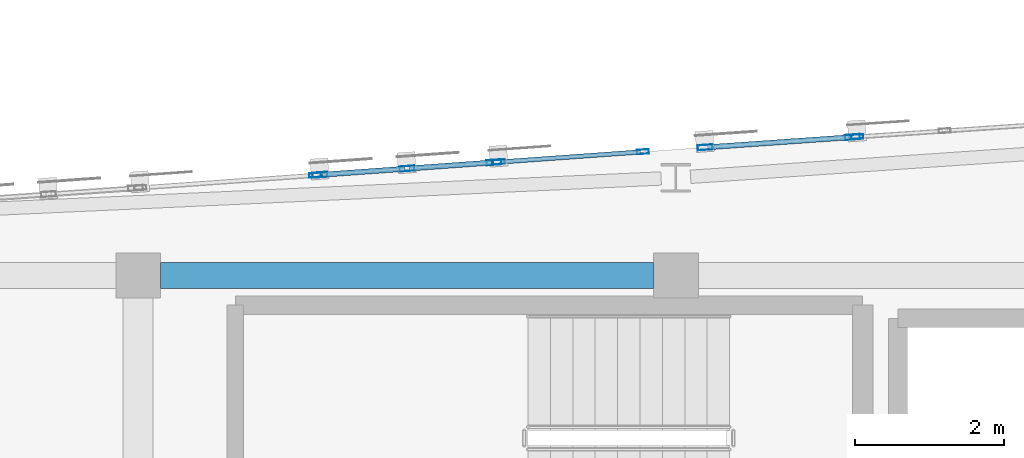
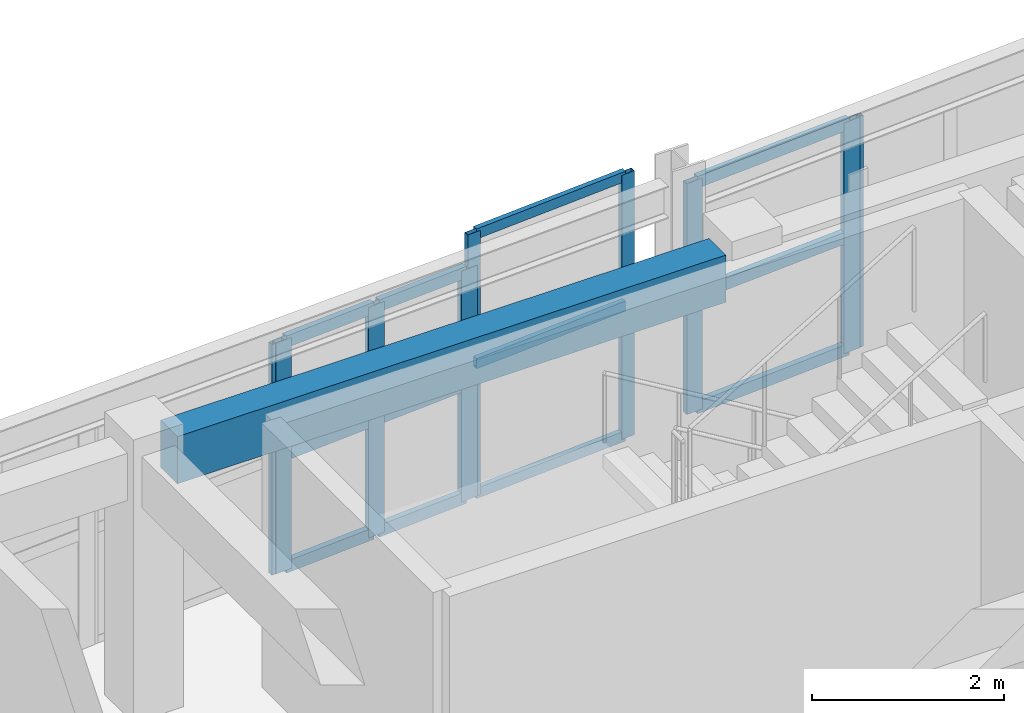
# One storey, part 9 of 45: 21 members, 1 beam, 5 elements without a shape of their own.
"""IFC4 building model written with IfcOpenShell, lengths in metres."""

from ifc_helpers import new_model, si_unit, direction, frame, origin, origin_2d, place, context, subcontext, project, spatial, rectangle, hollow_rectangle, extrude, material, layer, layer_set, material_profile, profile_set, type_object, element, aggregate, save


model = new_model("IFC4")

# Units and contexts
model_context = context("Model", 3, precision=1e-05, world=origin(), true_north=direction((0.0, 1.0)))
body_context = subcontext(model_context, "Body", "Model", "MODEL_VIEW")
ifc_project = project(units=[si_unit("LENGTHUNIT", "METRE"), si_unit("AREAUNIT", "SQUARE_METRE"), si_unit("VOLUMEUNIT", "CUBIC_METRE"), si_unit("PLANEANGLEUNIT", "RADIAN"), si_unit("MASSUNIT", "GRAM", prefix="KILO")], contexts=[model_context])

# Site, building, storey
site_placement = place(None, origin())
site = spatial("IfcSite", under=ifc_project, at=site_placement, CompositionType="ELEMENT")
building_placement = place(site_placement, origin())
building = spatial("IfcBuilding", under=site, at=building_placement, Name="Carrowvane Square Congress Hotel", CompositionType="ELEMENT")
storey_placement = place(building_placement, frame((0.0, 0.0, 33.60009765625)))
storey = spatial("IfcBuildingStorey", under=building, at=storey_placement, Name="L08", CompositionType="ELEMENT", Elevation=33.60009765625)

# Beam
ifc_material_1 = material(Name="Concrete C35/45", Category="concrete")
ifc_material_profile_1 = material_profile(ifc_material_1, rectangle(XDim=0.35009765625, YDim=0.60009765625, at=origin_2d()), Name="RC 350x600")
ifc_profile_set_1 = profile_set([ifc_material_profile_1], Name="Concrete C35/45")
beam_type = type_object("IfcBeamType", Name="BM-RC-350x600", PredefinedType="BEAM", material=ifc_profile_set_1)
beam_placement = place(storey_placement, frame((55.10009765625, 113.39990234375, 3.059814453125), z_axis=(1.0, 0.0, 0.0), x_axis=(0.0, 1.0, 0.0)))
element("IfcBeam", 1, at=beam_placement, inside=storey, type_object=beam_type, Name="L09 girder R/7-8", PredefinedType="BEAM", context=body_context, shape_type="SweptSolid", body=[
    extrude(rectangle(XDim=0.35009765625, YDim=0.60009765625, at=origin_2d()), origin(), (0.0, 0.0, 1.0), 6.599853515625),
])

# Curtain wall, member
ifc_material_2 = material(Name="Anodised aluminium", Category="aluminium")
ifc_layer_1 = layer(ifc_material_2, 0.162109375)
ifc_layer_set_1 = layer_set([ifc_layer_1], Name="Anodised aluminium")
curtain_wall_type_1 = type_object("IfcCurtainWallType", Name="CW-SYS-1", PredefinedType="NOTDEFINED", material=ifc_layer_set_1)
curtain_wall_1_placement = place(storey_placement, origin())
curtain_wall_1 = element("IfcCurtainWall", 2, at=curtain_wall_1_placement, inside=storey, type_object=curtain_wall_type_1, Name="L08 unitised curtain wall 464", PredefinedType="NOTDEFINED")
ifc_material_3 = material(Name="Anodised aluminium", Category="aluminium")
ifc_material_profile_2 = material_profile(ifc_material_3, hollow_rectangle(XDim=0.06005859375, YDim=0.159912109375, WallThickness=0.00390625, at=origin_2d()), Name="CW-ML 60x160x4")
ifc_profile_set_2 = profile_set([ifc_material_profile_2], Name="Anodised aluminium")
member_type_1 = type_object("IfcMemberType", Name="CW-MUL-1", PredefinedType="MULLION", material=ifc_profile_set_2)
member_1_placement = place(storey_placement, frame((57.169921875, 114.740966796875, 0.0), z_axis=(0.0, 0.0, 1.0), x_axis=(-0.071418356042, 0.997446448898, 0.0)))
member_1 = element("IfcMember", 3, at=member_1_placement, type_object=member_type_1, Name="CW-1 mullion 2", PredefinedType="MULLION", context=body_context, shape_type="SweptSolid", body=[
    extrude(hollow_rectangle(XDim=0.06005859375, YDim=0.159912109375, WallThickness=0.00390625, at=origin_2d()), origin(), (0.0, 0.0, 1.0), 2.935546875),
])
aggregate(curtain_wall_1, [member_1])

# Curtain wall, members
ifc_material_4 = material(Name="Anodised aluminium", Category="aluminium")
ifc_layer_2 = layer(ifc_material_4, 0.18603515625)
ifc_layer_set_2 = layer_set([ifc_layer_2], Name="Anodised aluminium")
curtain_wall_type_2 = type_object("IfcCurtainWallType", Name="CW-SYS-3", PredefinedType="NOTDEFINED", material=ifc_layer_set_2)
curtain_wall_2_placement = place(storey_placement, origin())
curtain_wall_2 = element("IfcCurtainWall", 4, at=curtain_wall_2_placement, inside=storey, type_object=curtain_wall_type_2, Name="L08 unitised curtain wall 466", PredefinedType="NOTDEFINED")
member_2_placement = place(storey_placement, frame((59.6298828125, 114.91748046875, 0.0), z_axis=(0.0, 0.0, 1.0), x_axis=(-0.070960217342, 0.997479146426, 0.0)))
member_2 = element("IfcMember", 5, at=member_2_placement, type_object=member_type_1, Name="CW-3 mullion 1", PredefinedType="MULLION", context=body_context, shape_type="SweptSolid", body=[
    extrude(hollow_rectangle(XDim=0.06005859375, YDim=0.159912109375, WallThickness=0.00390625, at=origin_2d()), origin(), (0.0, 0.0, 1.0), 3.35986328125),
])
member_3_placement = place(storey_placement, frame((61.5595703125, 115.0546875, 0.0), z_axis=(0.0, 0.0, 1.0), x_axis=(-0.070960217342, 0.997479146426, 0.0)))
member_3 = element("IfcMember", 6, at=member_3_placement, type_object=member_type_1, Name="CW-3 mullion 2", PredefinedType="MULLION", context=body_context, shape_type="SweptSolid", body=[
    extrude(hollow_rectangle(XDim=0.06005859375, YDim=0.159912109375, WallThickness=0.00390625, at=origin_2d()), origin(), (0.0, 0.0, 1.0), 3.35986328125),
])

# Curtain wall, member
ifc_material_5 = material(Name="Anodised aluminium", Category="aluminium")
ifc_layer_3 = layer(ifc_material_5, 0.2099609375)
ifc_layer_set_3 = layer_set([ifc_layer_3], Name="Anodised aluminium")
curtain_wall_type_3 = type_object("IfcCurtainWallType", Name="CW-SYS-5", PredefinedType="NOTDEFINED", material=ifc_layer_set_3)
curtain_wall_3_placement = place(storey_placement, origin())
curtain_wall_3 = element("IfcCurtainWall", 7, at=curtain_wall_3_placement, inside=storey, type_object=curtain_wall_type_3, Name="L08 unitised curtain wall 468", PredefinedType="NOTDEFINED")
member_4_placement = place(storey_placement, frame((64.429931640625, 115.255859375, 0.0), z_axis=(0.0, 0.0, 1.0), x_axis=(-0.067865424104, 0.997694484404, 0.0)))
member_4 = element("IfcMember", 8, at=member_4_placement, type_object=member_type_1, Name="CW-5 mullion 1", PredefinedType="MULLION", context=body_context, shape_type="SweptSolid", body=[
    extrude(hollow_rectangle(XDim=0.06005859375, YDim=0.159912109375, WallThickness=0.00390625, at=origin_2d()), origin(), (0.0, 0.0, 1.0), 2.935546875),
])
aggregate(curtain_wall_3, [member_4])

# Curtain wall, members
ifc_material_6 = material(Name="Anodised aluminium", Category="aluminium")
ifc_layer_4 = layer(ifc_material_6, 0.174072265625)
ifc_layer_set_4 = layer_set([ifc_layer_4], Name="Anodised aluminium")
curtain_wall_type_4 = type_object("IfcCurtainWallType", Name="CW-SYS-2", PredefinedType="NOTDEFINED", material=ifc_layer_set_4)
curtain_wall_4_placement = place(storey_placement, origin())
curtain_wall_4 = element("IfcCurtainWall", 9, at=curtain_wall_4_placement, inside=storey, type_object=curtain_wall_type_4, Name="L08 unitised curtain wall 465", PredefinedType="NOTDEFINED")
ifc_material_7 = material(Name="Anodised aluminium", Category="aluminium")
ifc_material_profile_3 = material_profile(ifc_material_7, hollow_rectangle(XDim=0.070068359375, YDim=0.199951171875, WallThickness=0.0048828125, at=origin_2d()), Name="CW-ML 70x200x5")
ifc_profile_set_3 = profile_set([ifc_material_profile_3], Name="Anodised aluminium")
member_type_2 = type_object("IfcMemberType", Name="CW-MUL-2", PredefinedType="MULLION", material=ifc_profile_set_3)
member_5_placement = place(storey_placement, frame((57.23486328125, 114.74560546875, 0.0), z_axis=(0.0, 0.0, 1.0), x_axis=(-0.071531759512, 0.997438322595, 0.0)))
member_5 = element("IfcMember", 10, at=member_5_placement, type_object=member_type_2, Name="CW-2 mullion 1", PredefinedType="MULLION", context=body_context, shape_type="SweptSolid", body=[
    extrude(hollow_rectangle(XDim=0.070068359375, YDim=0.199951171875, WallThickness=0.0048828125, at=origin_2d()), origin(), (0.0, 0.0, 1.0), 2.935546875),
])
member_6_placement = place(storey_placement, frame((58.39990234375, 114.8291015625, 0.0), z_axis=(0.0, 0.0, 1.0), x_axis=(-0.071531759512, 0.997438322595, 0.0)))
member_6 = element("IfcMember", 11, at=member_6_placement, type_object=member_type_2, Name="CW-2 mullion 2", PredefinedType="MULLION", context=body_context, shape_type="SweptSolid", body=[
    extrude(hollow_rectangle(XDim=0.070068359375, YDim=0.199951171875, WallThickness=0.0048828125, at=origin_2d()), origin(), (0.0, 0.0, 1.0), 2.935546875),
])
member_7_placement = place(storey_placement, frame((59.565185546875, 114.912841796875, 0.0), z_axis=(0.0, 0.0, 1.0), x_axis=(-0.071531759512, 0.997438322595, 0.0)))
member_7 = element("IfcMember", 12, at=member_7_placement, type_object=member_type_2, Name="CW-2 mullion 3", PredefinedType="MULLION", context=body_context, shape_type="SweptSolid", body=[
    extrude(hollow_rectangle(XDim=0.070068359375, YDim=0.199951171875, WallThickness=0.0048828125, at=origin_2d()), origin(), (0.0, 0.0, 1.0), 2.935546875),
])

ifc_material_8 = material(Name="Anodised aluminium", Category="aluminium")
ifc_layer_5 = layer(ifc_material_8, 0.197998046875)
ifc_layer_set_5 = layer_set([ifc_layer_5], Name="Anodised aluminium")
curtain_wall_type_5 = type_object("IfcCurtainWallType", Name="CW-SYS-4", PredefinedType="NOTDEFINED", material=ifc_layer_set_5)
curtain_wall_5_placement = place(storey_placement, origin())
curtain_wall_5 = element("IfcCurtainWall", 13, at=curtain_wall_5_placement, inside=storey, type_object=curtain_wall_type_5, Name="L08 unitised curtain wall 467", PredefinedType="NOTDEFINED")
member_8_placement = place(storey_placement, frame((62.39208984375, 115.11328125, 0.0), z_axis=(0.0, 0.0, 1.0), x_axis=(-0.069723822092, 0.997566332949, 0.0)))
member_8 = element("IfcMember", 14, at=member_8_placement, type_object=member_type_2, Name="CW-4 mullion 1", PredefinedType="MULLION", context=body_context, shape_type="SweptSolid", body=[
    extrude(hollow_rectangle(XDim=0.070068359375, YDim=0.199951171875, WallThickness=0.0048828125, at=origin_2d()), origin(), (0.0, 0.0, 1.0), 2.935546875),
])
member_9_placement = place(storey_placement, frame((64.365234375, 115.251220703125, 0.0), z_axis=(0.0, 0.0, 1.0), x_axis=(-0.069723822092, 0.997566332949, 0.0)))
member_9 = element("IfcMember", 15, at=member_9_placement, type_object=member_type_2, Name="CW-4 mullion 2", PredefinedType="MULLION", context=body_context, shape_type="SweptSolid", body=[
    extrude(hollow_rectangle(XDim=0.070068359375, YDim=0.199951171875, WallThickness=0.0048828125, at=origin_2d()), origin(), (0.0, 0.0, 1.0), 2.935546875),
])

# Member
ifc_material_9 = material(Name="Anodised aluminium", Category="aluminium")
ifc_material_profile_4 = material_profile(ifc_material_9, hollow_rectangle(XDim=0.06005859375, YDim=0.1298828125, WallThickness=0.00390625, at=origin_2d()), Name="CW-TR 60x130x4")
ifc_profile_set_4 = profile_set([ifc_material_profile_4], Name="Anodised aluminium")
member_type_3 = type_object("IfcMemberType", Name="CW-TRN-1", PredefinedType="USERDEFINED", material=ifc_profile_set_4)
member_10_placement = place(storey_placement, frame((59.659912109375, 114.91943359375, 0.02978515625), z_axis=(0.997477179268, 0.070987864025, 0.0), x_axis=(-0.070987864025, 0.997477179268, 0.0)))
member_10 = element("IfcMember", 16, at=member_10_placement, type_object=member_type_3, Name="CW-3 transom 1.1", ObjectType="TRANSOM", PredefinedType="USERDEFINED", context=body_context, shape_type="SweptSolid", body=[
    extrude(hollow_rectangle(XDim=0.06005859375, YDim=0.1298828125, WallThickness=0.00390625, at=origin_2d()), origin(), (0.0, 0.0, 1.0), 1.874267578125),
])

member_11_placement = place(storey_placement, frame((59.659912109375, 114.91943359375, 1.679931640625), z_axis=(0.997477179268, 0.070987864025, 0.0), x_axis=(-0.070987864025, 0.997477179268, 0.0)))
member_11 = element("IfcMember", 17, at=member_11_placement, type_object=member_type_3, Name="CW-3 transom 1.2", ObjectType="TRANSOM", PredefinedType="USERDEFINED", context=body_context, shape_type="SweptSolid", body=[
    extrude(hollow_rectangle(XDim=0.06005859375, YDim=0.1298828125, WallThickness=0.00390625, at=origin_2d()), origin(), (0.0, 0.0, 1.0), 1.874267578125),
])

member_12_placement = place(storey_placement, frame((59.659912109375, 114.91943359375, 3.329833984375), z_axis=(0.997477179268, 0.070987864025, 0.0), x_axis=(-0.070987864025, 0.997477179268, 0.0)))
member_12 = element("IfcMember", 18, at=member_12_placement, type_object=member_type_3, Name="CW-3 transom 1.3", ObjectType="TRANSOM", PredefinedType="USERDEFINED", context=body_context, shape_type="SweptSolid", body=[
    extrude(hollow_rectangle(XDim=0.06005859375, YDim=0.1298828125, WallThickness=0.00390625, at=origin_2d()), origin(), (0.0, 0.0, 1.0), 1.874267578125),
])

aggregate(curtain_wall_2, [member_2, member_3, member_10, member_11, member_12])

ifc_material_10 = material(Name="Anodised aluminium", Category="aluminium")
ifc_material_profile_5 = material_profile(ifc_material_10, hollow_rectangle(XDim=0.070068359375, YDim=0.14990234375, WallThickness=0.0048828125, at=origin_2d()), Name="CW-TR 70x150x5")
ifc_profile_set_5 = profile_set([ifc_material_profile_5], Name="Anodised aluminium")
member_type_4 = type_object("IfcMemberType", Name="CW-TRN-2", PredefinedType="USERDEFINED", material=ifc_profile_set_5)
member_13_placement = place(storey_placement, frame((57.269775390625, 114.748046875, 0.034912109375), z_axis=(0.997433808996, 0.071594669304, 0.0), x_axis=(-0.071594669304, 0.997433808996, 0.0)))
member_13 = element("IfcMember", 19, at=member_13_placement, type_object=member_type_4, Name="CW-2 transom 1.1", ObjectType="TRANSOM", PredefinedType="USERDEFINED", context=body_context, shape_type="SweptSolid", body=[
    extrude(hollow_rectangle(XDim=0.070068359375, YDim=0.14990234375, WallThickness=0.0048828125, at=origin_2d()), origin(), (0.0, 0.0, 1.0), 1.09814453125),
])

member_14_placement = place(storey_placement, frame((57.269775390625, 114.748046875, 1.4677734375), z_axis=(0.997433808996, 0.071594669304, 0.0), x_axis=(-0.071594669304, 0.997433808996, 0.0)))
member_14 = element("IfcMember", 20, at=member_14_placement, type_object=member_type_4, Name="CW-2 transom 1.2", ObjectType="TRANSOM", PredefinedType="USERDEFINED", context=body_context, shape_type="SweptSolid", body=[
    extrude(hollow_rectangle(XDim=0.070068359375, YDim=0.14990234375, WallThickness=0.0048828125, at=origin_2d()), origin(), (0.0, 0.0, 1.0), 1.09814453125),
])

member_15_placement = place(storey_placement, frame((57.269775390625, 114.748046875, 2.900390625), z_axis=(0.997433808996, 0.071594669304, 0.0), x_axis=(-0.071594669304, 0.997433808996, 0.0)))
member_15 = element("IfcMember", 21, at=member_15_placement, type_object=member_type_4, Name="CW-2 transom 1.3", ObjectType="TRANSOM", PredefinedType="USERDEFINED", context=body_context, shape_type="SweptSolid", body=[
    extrude(hollow_rectangle(XDim=0.070068359375, YDim=0.14990234375, WallThickness=0.0048828125, at=origin_2d()), origin(), (0.0, 0.0, 1.0), 1.09814453125),
])

member_16_placement = place(storey_placement, frame((58.434814453125, 114.831787109375, 0.034912109375), z_axis=(0.99745079479, 0.071357634305, 0.0), x_axis=(-0.071357634305, 0.99745079479, 0.0)))
member_16 = element("IfcMember", 22, at=member_16_placement, type_object=member_type_4, Name="CW-2 transom 2.1", ObjectType="TRANSOM", PredefinedType="USERDEFINED", context=body_context, shape_type="SweptSolid", body=[
    extrude(hollow_rectangle(XDim=0.070068359375, YDim=0.14990234375, WallThickness=0.0048828125, at=origin_2d()), origin(), (0.0, 0.0, 1.0), 1.09814453125),
])

member_17_placement = place(storey_placement, frame((58.434814453125, 114.831787109375, 1.4677734375), z_axis=(0.99745079479, 0.071357634305, 0.0), x_axis=(-0.071357634305, 0.99745079479, 0.0)))
member_17 = element("IfcMember", 23, at=member_17_placement, type_object=member_type_4, Name="CW-2 transom 2.2", ObjectType="TRANSOM", PredefinedType="USERDEFINED", context=body_context, shape_type="SweptSolid", body=[
    extrude(hollow_rectangle(XDim=0.070068359375, YDim=0.14990234375, WallThickness=0.0048828125, at=origin_2d()), origin(), (0.0, 0.0, 1.0), 1.09814453125),
])

member_18_placement = place(storey_placement, frame((58.434814453125, 114.831787109375, 2.900390625), z_axis=(0.99745079479, 0.071357634305, 0.0), x_axis=(-0.071357634305, 0.99745079479, 0.0)))
member_18 = element("IfcMember", 24, at=member_18_placement, type_object=member_type_4, Name="CW-2 transom 2.3", ObjectType="TRANSOM", PredefinedType="USERDEFINED", context=body_context, shape_type="SweptSolid", body=[
    extrude(hollow_rectangle(XDim=0.070068359375, YDim=0.14990234375, WallThickness=0.0048828125, at=origin_2d()), origin(), (0.0, 0.0, 1.0), 1.09814453125),
])

aggregate(curtain_wall_4, [member_5, member_6, member_7, member_13, member_14, member_15, member_16, member_17, member_18])

member_19_placement = place(storey_placement, frame((62.427001953125, 115.11572265625, 0.034912109375), z_axis=(0.997565380596, 0.069737446437, 0.0), x_axis=(-0.069737446437, 0.997565380596, 0.0)))
member_19 = element("IfcMember", 25, at=member_19_placement, type_object=member_type_4, Name="CW-4 transom 1.1", ObjectType="TRANSOM", PredefinedType="USERDEFINED", context=body_context, shape_type="SweptSolid", body=[
    extrude(hollow_rectangle(XDim=0.070068359375, YDim=0.14990234375, WallThickness=0.0048828125, at=origin_2d()), origin(), (0.0, 0.0, 1.0), 1.907958984375),
])

member_20_placement = place(storey_placement, frame((62.427001953125, 115.11572265625, 1.4677734375), z_axis=(0.997565380596, 0.069737446437, 0.0), x_axis=(-0.069737446437, 0.997565380596, 0.0)))
member_20 = element("IfcMember", 26, at=member_20_placement, type_object=member_type_4, Name="CW-4 transom 1.2", ObjectType="TRANSOM", PredefinedType="USERDEFINED", context=body_context, shape_type="SweptSolid", body=[
    extrude(hollow_rectangle(XDim=0.070068359375, YDim=0.14990234375, WallThickness=0.0048828125, at=origin_2d()), origin(), (0.0, 0.0, 1.0), 1.907958984375),
])

member_21_placement = place(storey_placement, frame((62.427001953125, 115.11572265625, 2.900390625), z_axis=(0.997565380596, 0.069737446437, 0.0), x_axis=(-0.069737446437, 0.997565380596, 0.0)))
member_21 = element("IfcMember", 27, at=member_21_placement, type_object=member_type_4, Name="CW-4 transom 1.3", ObjectType="TRANSOM", PredefinedType="USERDEFINED", context=body_context, shape_type="SweptSolid", body=[
    extrude(hollow_rectangle(XDim=0.070068359375, YDim=0.14990234375, WallThickness=0.0048828125, at=origin_2d()), origin(), (0.0, 0.0, 1.0), 1.907958984375),
])

aggregate(curtain_wall_5, [member_8, member_9, member_19, member_20, member_21])

save(model, "model.ifc")
